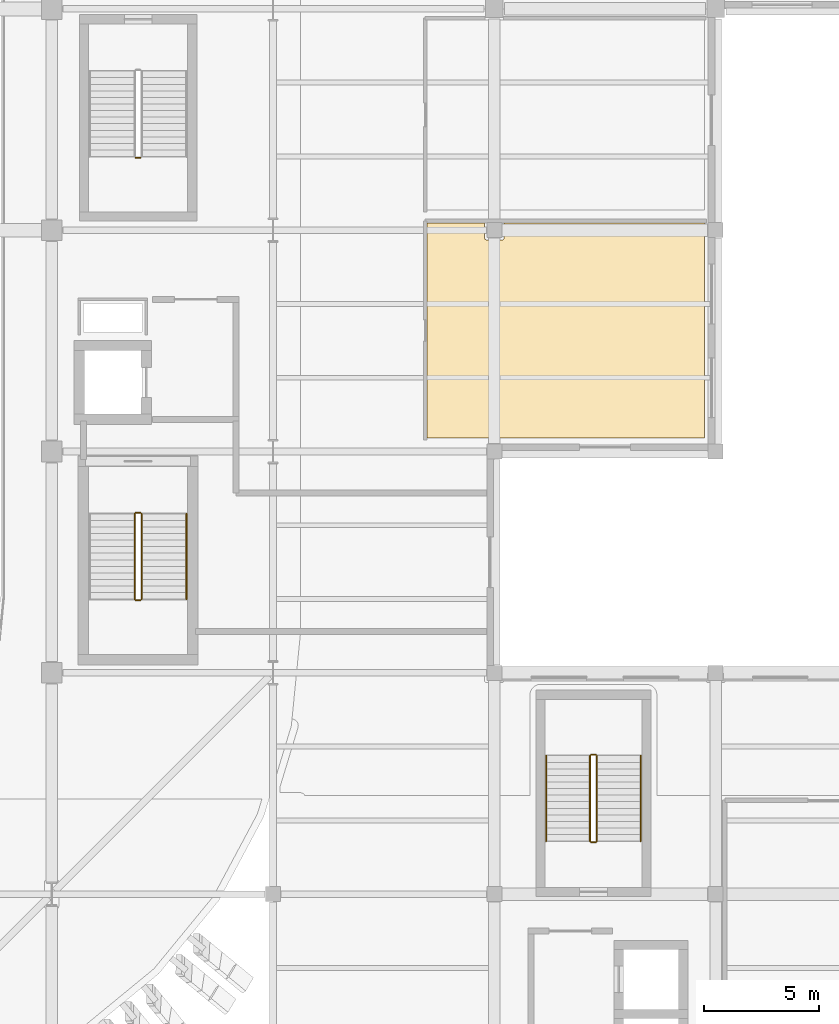
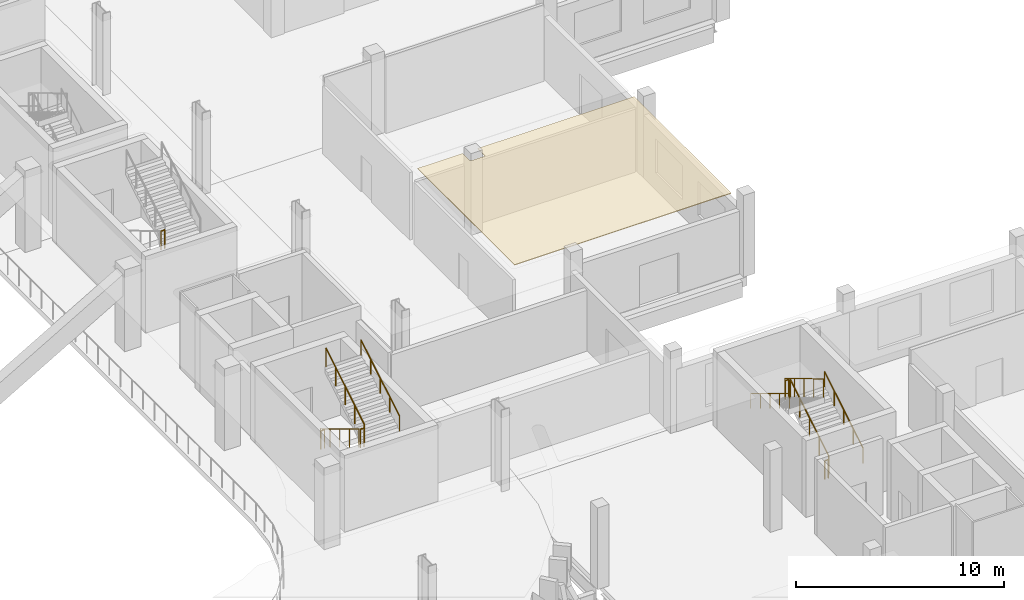
# One storey, part 92 of 100: 12 railings, 1 covering.
"""IFC4 building model written with IfcOpenShell, lengths in metres."""

from ifc_helpers import new_model, si_unit, direction, frame, origin, origin_2d, place, context, subcontext, project, spatial, polyline, circle, outline, extrude, material, layer, layer_set, type_object, element, save


model = new_model("IFC4")

# Units and contexts
model_context = context("Model", 3, precision=1e-05, world=origin(), true_north=direction((0.0, 1.0)))
body_context = subcontext(model_context, "Body", "Model", "MODEL_VIEW")
ifc_project = project(units=[si_unit("LENGTHUNIT", "METRE"), si_unit("AREAUNIT", "SQUARE_METRE"), si_unit("VOLUMEUNIT", "CUBIC_METRE"), si_unit("PLANEANGLEUNIT", "RADIAN"), si_unit("MASSUNIT", "GRAM", prefix="KILO")], contexts=[model_context])

# Site, building, storey
site_placement = place(None, origin())
site = spatial("IfcSite", under=ifc_project, at=site_placement, CompositionType="ELEMENT")
building_placement = place(site_placement, origin())
building = spatial("IfcBuilding", under=site, at=building_placement, Name="Caelomonte Colonnade Arena", CompositionType="ELEMENT")
storey_placement = place(building_placement, origin())
storey = spatial("IfcBuildingStorey", under=building, at=storey_placement, Name="L00", CompositionType="ELEMENT", Elevation=0.0)

# Covering
ifc_material_1 = material(Name="Perforated acoustic mineral-fibre ceiling")
ifc_layer = layer(ifc_material_1, 0.0400390625)
ifc_layer_set = layer_set([ifc_layer], Name="Perforated acoustic mineral-fibre ceiling")
covering_type = type_object("IfcCoveringType", Name="INT-CV-CEIL1", PredefinedType="CEILING", material=ifc_layer_set)
covering_placement = place(storey_placement, frame((0.0, 0.0, 4.419921875)))
element("IfcCovering", 1, at=covering_placement, inside=storey, type_object=covering_type, Name="L00 Ground Spectator Restroom acoustic ceiling", PredefinedType="CEILING", context=body_context, shape_type="SweptSolid", body=[
    extrude(outline(polyline([(172.3798828125, 57.919921875), (169.8798828125, 57.919921875), (169.8798828125, 48.580078125), (181.919921875, 48.580078125), (181.919921875, 57.919921875), (173.219970703125, 57.919921875), (173.219970703125, 57.260009765625), (173.219482421875, 57.252197265625), (173.218505859375, 57.244384765625), (173.216552734375, 57.23681640625), (173.2138671875, 57.2294921875), (173.210693359375, 57.222412109375), (173.20654296875, 57.215576171875), (173.201904296875, 57.209228515625), (173.196533203125, 57.203369140625), (173.19091796875, 57.1982421875), (173.184326171875, 57.193603515625), (173.177734375, 57.189453125), (173.170654296875, 57.18603515625), (173.1630859375, 57.183349609375), (173.155517578125, 57.181396484375), (173.147705078125, 57.180419921875), (173.139892578125, 57.179931640625), (172.4599609375, 57.179931640625), (172.4521484375, 57.180419921875), (172.4443359375, 57.181396484375), (172.436767578125, 57.183349609375), (172.429443359375, 57.18603515625), (172.42236328125, 57.189453125), (172.41552734375, 57.193603515625), (172.4091796875, 57.1982421875), (172.4033203125, 57.203369140625), (172.398193359375, 57.209228515625), (172.3935546875, 57.215576171875), (172.389404296875, 57.222412109375), (172.385986328125, 57.2294921875), (172.38330078125, 57.23681640625), (172.381591796875, 57.244384765625), (172.38037109375, 57.252197265625), (172.3798828125, 57.260009765625), (172.3798828125, 57.919921875)])), origin(), (0.0, 0.0, 1.0), 0.0400390625),
])

# Railings
ifc_material_2 = material(Name="Painted galvanized steel stair guard", Category="steel")
railing_type_1 = type_object("IfcRailingType", Name="INT-RL-GRD", PredefinedType="GUARDRAIL", material=ifc_material_2)
railing_1_placement = place(storey_placement, frame((157.199951171875, 45.300048828125, 0.17138671875)))
element("IfcRailing", 2, at=railing_1_placement, inside=storey, type_object=railing_type_1, Name="L00 ST-02 stair guard 1", PredefinedType="GUARDRAIL", context=body_context, shape_type="SweptSolid", body=[
    extrude(circle(Radius=0.02392578125, at=origin_2d()), frame((0.0, 0.0, 1.076171875), z_axis=(0.0, -0.856934400257, 0.515425487977), x_axis=(1.0, 0.0, 0.0)), (0.0, 0.0, 1.0), 4.32373046875),
    extrude(circle(Radius=0.02099609375, at=origin_2d()), origin(), (0.0, 0.0, 1.0), 1.048095703125),
    extrude(circle(Radius=0.02099609375, at=origin_2d()), frame((0.0, -0.92626953125, 0.55712890625)), (0.0, 0.0, 1.0), 1.048095703125),
    extrude(circle(Radius=0.02099609375, at=origin_2d()), frame((0.0, -1.8525390625, 1.1142578125)), (0.0, 0.0, 1.0), 1.048095703125),
    extrude(circle(Radius=0.02099609375, at=origin_2d()), frame((0.0, -2.77880859375, 1.67138671875)), (0.0, 0.0, 1.0), 1.048095703125),
    extrude(circle(Radius=0.02099609375, at=origin_2d()), frame((0.0, -3.705078125, 2.228515625)), (0.0, 0.0, 1.0), 1.048095703125),
])
railing_2_placement = place(storey_placement, frame((157.25, 41.544921875, 2.39990234375)))
element("IfcRailing", 3, at=railing_2_placement, inside=storey, type_object=railing_type_1, Name="L00 ST-02 stair guard 2", PredefinedType="GUARDRAIL", context=body_context, shape_type="SweptSolid", body=[
    extrude(circle(Radius=0.02392578125, at=origin_2d()), frame((0.0, 0.0, 1.076171875), z_axis=(1.0, 0.0, 0.0), x_axis=(0.0, 1.0, 0.0)), (0.0, 0.0, 1.0), 0.199951171875),
    extrude(circle(Radius=0.02099609375, at=origin_2d()), origin(), (0.0, 0.0, 1.0), 1.048095703125),
    extrude(circle(Radius=0.02099609375, at=origin_2d()), frame((0.199951171875, 0.0, 0.0)), (0.0, 0.0, 1.0), 1.048095703125),
])
railing_3_placement = place(storey_placement, frame((157.5, 41.594970703125, 2.571533203125)))
element("IfcRailing", 4, at=railing_3_placement, inside=storey, type_object=railing_type_1, Name="L00 ST-02 stair guard 3", PredefinedType="GUARDRAIL", context=body_context, shape_type="SweptSolid", body=[
    extrude(circle(Radius=0.02392578125, at=origin_2d()), frame((0.0, 0.0, 1.076171875), z_axis=(0.0, 0.856934400257, 0.515425487977), x_axis=(-1.0, 0.0, 0.0)), (0.0, 0.0, 1.0), 4.32373046875),
    extrude(circle(Radius=0.02099609375, at=origin_2d()), origin(), (0.0, 0.0, 1.0), 1.048095703125),
    extrude(circle(Radius=0.02099609375, at=origin_2d()), frame((0.0, 0.92626953125, 0.55712890625)), (0.0, 0.0, 1.0), 1.048095703125),
    extrude(circle(Radius=0.02099609375, at=origin_2d()), frame((0.0, 1.8525390625, 1.1142578125)), (0.0, 0.0, 1.0), 1.048095703125),
    extrude(circle(Radius=0.02099609375, at=origin_2d()), frame((0.0, 2.77880859375, 1.67138671875)), (0.0, 0.0, 1.0), 1.048095703125),
    extrude(circle(Radius=0.02099609375, at=origin_2d()), frame((0.0, 3.705078125, 2.228515625)), (0.0, 0.0, 1.0), 1.048095703125),
])
railing_4_placement = place(storey_placement, frame((157.25, 45.35009765625, 0.0)))
element("IfcRailing", 5, at=railing_4_placement, inside=storey, type_object=railing_type_1, Name="L00 ST-02 stair guard 4", PredefinedType="GUARDRAIL", context=body_context, shape_type="SweptSolid", body=[
    extrude(circle(Radius=0.02392578125, at=origin_2d()), frame((0.0, 0.0, 1.076171875), z_axis=(1.0, 0.0, 0.0), x_axis=(0.0, 1.0, 0.0)), (0.0, 0.0, 1.0), 0.199951171875),
    extrude(circle(Radius=0.02099609375, at=origin_2d()), origin(), (0.0, 0.0, 1.0), 1.048095703125),
    extrude(circle(Radius=0.02099609375, at=origin_2d()), frame((0.199951171875, 0.0, 0.0)), (0.0, 0.0, 1.0), 1.048095703125),
])
railing_5_placement = place(storey_placement, frame((177.25, 31.10009765625, 0.17138671875)))
element("IfcRailing", 6, at=railing_5_placement, inside=storey, type_object=railing_type_1, Name="L00 ST-05 stair guard 1", PredefinedType="GUARDRAIL", context=body_context, shape_type="SweptSolid", body=[
    extrude(circle(Radius=0.02392578125, at=origin_2d()), frame((0.0, 0.0, 1.076171875), z_axis=(0.0, 0.856919398105, 0.515450429384), x_axis=(-1.0, 0.0, 0.0)), (0.0, 0.0, 1.0), 4.323486328125),
    extrude(circle(Radius=0.02099609375, at=origin_2d()), origin(), (0.0, 0.0, 1.0), 1.048095703125),
    extrude(circle(Radius=0.02099609375, at=origin_2d()), frame((0.0, 0.92626953125, 0.55712890625)), (0.0, 0.0, 1.0), 1.048095703125),
    extrude(circle(Radius=0.02099609375, at=origin_2d()), frame((0.0, 1.8525390625, 1.1142578125)), (0.0, 0.0, 1.0), 1.048095703125),
    extrude(circle(Radius=0.02099609375, at=origin_2d()), frame((0.0, 2.778564453125, 1.67138671875)), (0.0, 0.0, 1.0), 1.048095703125),
    extrude(circle(Radius=0.02099609375, at=origin_2d()), frame((0.0, 3.704833984375, 2.228515625)), (0.0, 0.0, 1.0), 1.048095703125),
])
railing_6_placement = place(storey_placement, frame((177.199951171875, 34.85498046875, 2.39990234375)))
element("IfcRailing", 7, at=railing_6_placement, inside=storey, type_object=railing_type_1, Name="L00 ST-05 stair guard 2", PredefinedType="GUARDRAIL", context=body_context, shape_type="SweptSolid", body=[
    extrude(circle(Radius=0.02392578125, at=origin_2d()), frame((0.0, 0.0, 1.076171875), z_axis=(-1.0, 0.0, 0.0), x_axis=(0.0, -1.0, 0.0)), (0.0, 0.0, 1.0), 0.199951171875),
    extrude(circle(Radius=0.02099609375, at=origin_2d()), origin(), (0.0, 0.0, 1.0), 1.048095703125),
    extrude(circle(Radius=0.02099609375, at=origin_2d()), frame((-0.199951171875, 0.0, 0.0)), (0.0, 0.0, 1.0), 1.048095703125),
])
railing_7_placement = place(storey_placement, frame((176.949951171875, 34.804931640625, 2.571533203125)))
element("IfcRailing", 8, at=railing_7_placement, inside=storey, type_object=railing_type_1, Name="L00 ST-05 stair guard 3", PredefinedType="GUARDRAIL", context=body_context, shape_type="SweptSolid", body=[
    extrude(circle(Radius=0.02392578125, at=origin_2d()), frame((0.0, 0.0, 1.076171875), z_axis=(0.0, -0.856919398105, 0.515450429384), x_axis=(1.0, 0.0, 0.0)), (0.0, 0.0, 1.0), 4.323486328125),
    extrude(circle(Radius=0.02099609375, at=origin_2d()), origin(), (0.0, 0.0, 1.0), 1.048095703125),
    extrude(circle(Radius=0.02099609375, at=origin_2d()), frame((0.0, -0.92626953125, 0.55712890625)), (0.0, 0.0, 1.0), 1.048095703125),
    extrude(circle(Radius=0.02099609375, at=origin_2d()), frame((0.0, -1.8525390625, 1.1142578125)), (0.0, 0.0, 1.0), 1.048095703125),
    extrude(circle(Radius=0.02099609375, at=origin_2d()), frame((0.0, -2.778564453125, 1.67138671875)), (0.0, 0.0, 1.0), 1.048095703125),
    extrude(circle(Radius=0.02099609375, at=origin_2d()), frame((0.0, -3.704833984375, 2.228515625)), (0.0, 0.0, 1.0), 1.048095703125),
])
railing_8_placement = place(storey_placement, frame((177.199951171875, 31.050048828125, 0.0)))
element("IfcRailing", 9, at=railing_8_placement, inside=storey, type_object=railing_type_1, Name="L00 ST-05 stair guard 4", PredefinedType="GUARDRAIL", context=body_context, shape_type="SweptSolid", body=[
    extrude(circle(Radius=0.02392578125, at=origin_2d()), frame((0.0, 0.0, 1.076171875), z_axis=(-1.0, 0.0, 0.0), x_axis=(0.0, -1.0, 0.0)), (0.0, 0.0, 1.0), 0.199951171875),
    extrude(circle(Radius=0.02099609375, at=origin_2d()), origin(), (0.0, 0.0, 1.0), 1.048095703125),
    extrude(circle(Radius=0.02099609375, at=origin_2d()), frame((-0.199951171875, 0.0, 0.0)), (0.0, 0.0, 1.0), 1.048095703125),
])
railing_9_placement = place(storey_placement, frame((157.25, 60.7451171875, 2.39990234375)))
element("IfcRailing", 10, at=railing_9_placement, inside=storey, type_object=railing_type_1, Name="L00 ST-10 stair guard 2", PredefinedType="GUARDRAIL", context=body_context, shape_type="SweptSolid", body=[
    extrude(circle(Radius=0.02392578125, at=origin_2d()), frame((0.0, 0.0, 1.076171875), z_axis=(1.0, 0.0, 0.0), x_axis=(0.0, 1.0, 0.0)), (0.0, 0.0, 1.0), 0.199951171875),
    extrude(circle(Radius=0.02099609375, at=origin_2d()), origin(), (0.0, 0.0, 1.0), 1.048095703125),
    extrude(circle(Radius=0.02099609375, at=origin_2d()), frame((0.199951171875, 0.0, 0.0)), (0.0, 0.0, 1.0), 1.048095703125),
])
ifc_material_3 = material(Name="Brushed stainless steel stair handrail", Category="steel")
railing_type_2 = type_object("IfcRailingType", Name="INT-RL-HR", PredefinedType="HANDRAIL", material=ifc_material_3)
railing_10_placement = place(storey_placement, frame((159.449951171875, 41.594970703125, 2.571533203125)))
element("IfcRailing", 11, at=railing_10_placement, inside=storey, type_object=railing_type_2, Name="L00 ST-02 stair handrail 2", PredefinedType="HANDRAIL", context=body_context, shape_type="SweptSolid", body=[
    extrude(circle(Radius=0.02392578125, at=origin_2d()), frame((0.0, 0.0, 0.8759765625), z_axis=(0.0, 0.856934400257, 0.515425487977), x_axis=(-1.0, 0.0, 0.0)), (0.0, 0.0, 1.0), 4.32373046875),
    extrude(circle(Radius=0.02099609375, at=origin_2d()), origin(), (0.0, 0.0, 1.0), 0.847900390625),
    extrude(circle(Radius=0.02099609375, at=origin_2d()), frame((0.0, 0.92626953125, 0.55712890625)), (0.0, 0.0, 1.0), 0.847900390625),
    extrude(circle(Radius=0.02099609375, at=origin_2d()), frame((0.0, 1.8525390625, 1.1142578125)), (0.0, 0.0, 1.0), 0.847900390625),
    extrude(circle(Radius=0.02099609375, at=origin_2d()), frame((0.0, 2.77880859375, 1.67138671875)), (0.0, 0.0, 1.0), 0.847900390625),
    extrude(circle(Radius=0.02099609375, at=origin_2d()), frame((0.0, 3.705078125, 2.228515625)), (0.0, 0.0, 1.0), 0.847900390625),
])
railing_11_placement = place(storey_placement, frame((179.14990234375, 31.10009765625, 0.17138671875)))
element("IfcRailing", 12, at=railing_11_placement, inside=storey, type_object=railing_type_2, Name="L00 ST-05 stair handrail 1", PredefinedType="HANDRAIL", context=body_context, shape_type="SweptSolid", body=[
    extrude(circle(Radius=0.02392578125, at=origin_2d()), frame((0.0, 0.0, 0.8759765625), z_axis=(0.0, 0.856919398105, 0.515450429384), x_axis=(-1.0, 0.0, 0.0)), (0.0, 0.0, 1.0), 4.323486328125),
    extrude(circle(Radius=0.02099609375, at=origin_2d()), origin(), (0.0, 0.0, 1.0), 0.847900390625),
    extrude(circle(Radius=0.02099609375, at=origin_2d()), frame((0.0, 0.92626953125, 0.55712890625)), (0.0, 0.0, 1.0), 0.847900390625),
    extrude(circle(Radius=0.02099609375, at=origin_2d()), frame((0.0, 1.8525390625, 1.1142578125)), (0.0, 0.0, 1.0), 0.847900390625),
    extrude(circle(Radius=0.02099609375, at=origin_2d()), frame((0.0, 2.778564453125, 1.67138671875)), (0.0, 0.0, 1.0), 0.847900390625),
    extrude(circle(Radius=0.02099609375, at=origin_2d()), frame((0.0, 3.704833984375, 2.228515625)), (0.0, 0.0, 1.0), 0.847900390625),
])
railing_12_placement = place(storey_placement, frame((175.050048828125, 34.804931640625, 2.571533203125)))
element("IfcRailing", 13, at=railing_12_placement, inside=storey, type_object=railing_type_2, Name="L00 ST-05 stair handrail 2", PredefinedType="HANDRAIL", context=body_context, shape_type="SweptSolid", body=[
    extrude(circle(Radius=0.02392578125, at=origin_2d()), frame((0.0, 0.0, 0.8759765625), z_axis=(0.0, -0.856919398105, 0.515450429384), x_axis=(1.0, 0.0, 0.0)), (0.0, 0.0, 1.0), 4.323486328125),
    extrude(circle(Radius=0.02099609375, at=origin_2d()), origin(), (0.0, 0.0, 1.0), 0.847900390625),
    extrude(circle(Radius=0.02099609375, at=origin_2d()), frame((0.0, -0.92626953125, 0.55712890625)), (0.0, 0.0, 1.0), 0.847900390625),
    extrude(circle(Radius=0.02099609375, at=origin_2d()), frame((0.0, -1.8525390625, 1.1142578125)), (0.0, 0.0, 1.0), 0.847900390625),
    extrude(circle(Radius=0.02099609375, at=origin_2d()), frame((0.0, -2.778564453125, 1.67138671875)), (0.0, 0.0, 1.0), 0.847900390625),
    extrude(circle(Radius=0.02099609375, at=origin_2d()), frame((0.0, -3.704833984375, 2.228515625)), (0.0, 0.0, 1.0), 0.847900390625),
])

save(model, "model.ifc")
